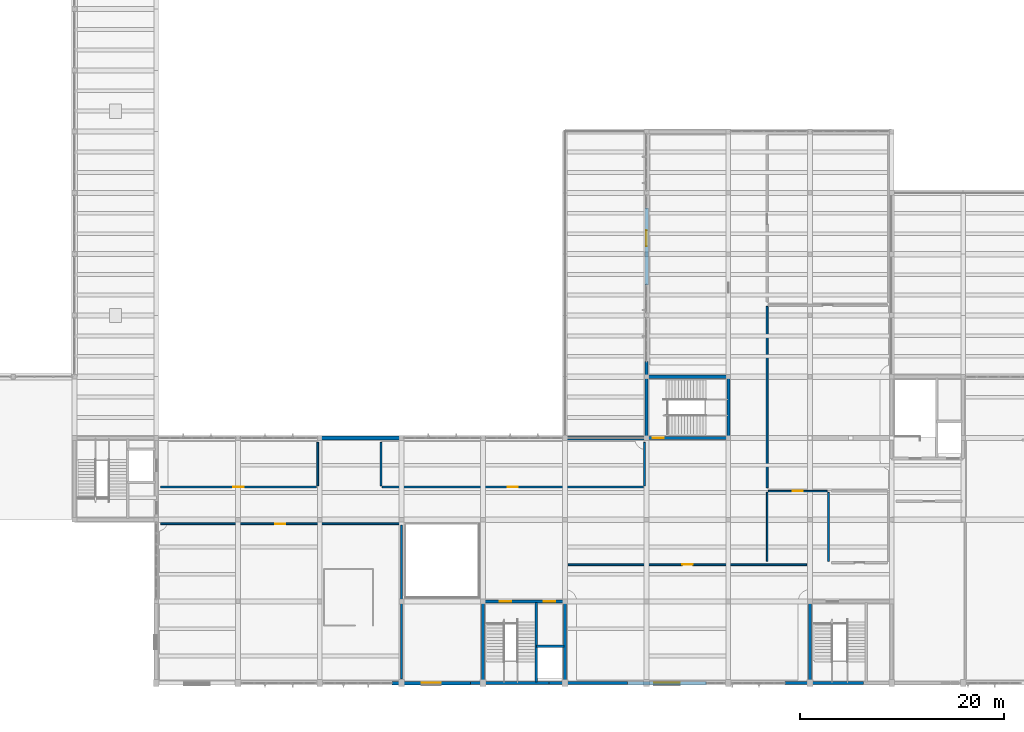
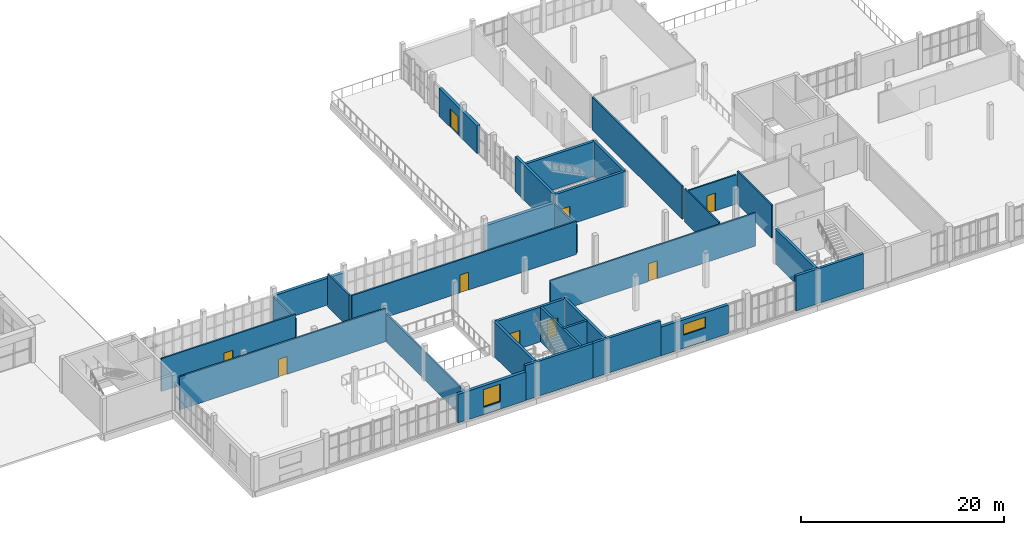
# One storey, part 53 of 70: 30 walls, 9 doors, 2 windows, 11 openings.
"""IFC4 building model written with IfcOpenShell, lengths in metres."""

from ifc_helpers import new_model, si_unit, direction, frame, frame_2d, origin, place, context, subcontext, project, spatial, rectangle, extrude, material, layer, layer_set, type_object, element, fill, save


model = new_model("IFC4")

# Units and contexts
model_context = context("Model", 3, precision=1e-05, world=origin(), true_north=direction((0.0, 1.0)))
body_context = subcontext(model_context, "Body", "Model", "MODEL_VIEW")
ifc_project = project(units=[si_unit("LENGTHUNIT", "METRE"), si_unit("AREAUNIT", "SQUARE_METRE"), si_unit("VOLUMEUNIT", "CUBIC_METRE"), si_unit("PLANEANGLEUNIT", "RADIAN"), si_unit("MASSUNIT", "GRAM", prefix="KILO")], contexts=[model_context])

# Site, building, storey
site_placement = place(None, origin())
site = spatial("IfcSite", under=ifc_project, at=site_placement, CompositionType="ELEMENT")
building_placement = place(site_placement, origin())
building = spatial("IfcBuilding", under=site, at=building_placement, Name="Solvane Community Centre", CompositionType="ELEMENT")
storey_placement = place(building_placement, frame((0.0, 0.0, 9.60009765625)))
storey = spatial("IfcBuildingStorey", under=building, at=storey_placement, Name="L02", CompositionType="ELEMENT", Elevation=9.60009765625)

# Wall
ifc_material_1 = material(Name="Gypsum board partition")
ifc_layer_1 = layer(ifc_material_1, 0.169921875)
ifc_layer_set_1 = layer_set([ifc_layer_1], Name="Gypsum board partition")
wall_type_1 = type_object("IfcWallType", Name="Acoustic Partition 170mm [68x40dm]", PredefinedType="PARTITIONING", material=ifc_layer_set_1)
wall_1_placement = place(storey_placement, frame((133.800048828125, 17.919921875, 0.0), z_axis=(0.0, 0.0, 1.0), x_axis=(0.0, 1.0, 0.0)))
element("IfcWall", 1, at=wall_1_placement, inside=storey, type_object=wall_type_1, Name="Interior Wall WL-INT-L02-0318", PredefinedType="PARTITIONING", context=body_context, shape_type="SweptSolid", body=[
    extrude(rectangle(XDim=6.760009765625, YDim=0.169921875, at=frame_2d((3.3798828125, 0.0))), origin(), (0.0, 0.0, 1.0), 3.97998046875),
])

# Wall, opening, door
ifc_material_2 = material(Name="Precast concrete C35/45", Category="concrete")
ifc_layer_2 = layer(ifc_material_2, 0.35009765625)
ifc_layer_set_2 = layer_set([ifc_layer_2], Name="Precast concrete C35/45")
wall_type_2 = type_object("IfcWallType", Name="Art Deco Limestone Cavity Wall 350mm [75x33dm]", PredefinedType="SOLIDWALL", material=ifc_layer_set_2)
wall_2_placement = place(storey_placement, frame((116.0, 45.0, 0.0), z_axis=(0.0, 0.0, 1.0), x_axis=(0.0, 1.0, 0.0)))
wall_2 = element("IfcWall", 2, at=wall_2_placement, inside=storey, type_object=wall_type_2, Name="Exterior Wall WL-EXT-L02-0121", PredefinedType="SOLIDWALL", context=body_context, shape_type="SweptSolid", body=[
    extrude(rectangle(XDim=7.5, YDim=0.35009765625, at=frame_2d((3.75, 0.0))), origin(), (0.0, 0.0, 1.0), 3.344970703125),
])
opening_1_placement = place(wall_2_placement, frame((3.778076171875, 0.0, 0.0)))
opening_1 = element("IfcOpeningElement", 3, at=opening_1_placement, cuts=wall_2, Name="Opening D08", PredefinedType="OPENING", context=body_context, shape_type="SweptSolid", body=[
    extrude(rectangle(XDim=1.550048828125, YDim=2.199951171875, at=frame_2d((0.77490234375, 1.10009765625))), frame((0.0, 0.18505859375, 0.0), z_axis=(0.0, -1.0, 0.0), x_axis=(1.0, 0.0, 0.0)), (0.0, 0.0, 1.0), 0.3701171875),
])
ifc_material_3 = material(Name="Anodised bronze aluminium AW-6063 T6", Category="aluminium")
door_type_1 = type_object("IfcDoorType", Name="Upper Terrace Glazed Pair 1550x2200", OperationType="NOTDEFINED", PredefinedType="DOOR", material=ifc_material_3)
door_1_placement = place(opening_1_placement, origin())
door_1 = element("IfcDoor", 4, at=door_1_placement, inside=storey, type_object=door_type_1, Name="L02-ED29", OperationType="SINGLE_SWING_LEFT", OverallHeight=2.199951171875, OverallWidth=1.550048828125, PredefinedType="DOOR", context=body_context, shape_type="SweptSolid", body=[
    extrude(rectangle(XDim=1.550048828125, YDim=2.199951171875, at=frame_2d((0.77490234375, 1.10009765625))), frame((0.0, 0.02490234375, 0.0), z_axis=(0.0, -1.0, 0.0), x_axis=(1.0, 0.0, 0.0)), (0.0, 0.0, 1.0), 0.050048828125),
])
fill(opening_1, door_1)

# Wall, opening, window
ifc_layer_3 = layer(ifc_material_2, 0.35009765625)
ifc_layer_set_3 = layer_set([ifc_layer_3], Name="Precast concrete C35/45")
wall_type_3 = type_object("IfcWallType", Name="Art Deco Limestone Cavity Wall 350mm [77x34dm]", PredefinedType="SOLIDWALL", material=ifc_layer_set_3)
wall_3_placement = place(storey_placement, frame((121.84619140625, 6.0, 0.0), z_axis=(0.0, 0.0, 1.0), x_axis=(-1.0, 0.0, 0.0)))
wall_3 = element("IfcWall", 5, at=wall_3_placement, inside=storey, type_object=wall_type_3, Name="Exterior Wall WL-EXT-L02-0109", PredefinedType="SOLIDWALL", context=body_context, shape_type="SweptSolid", body=[
    extrude(rectangle(XDim=7.6923828125, YDim=0.35009765625, at=frame_2d((3.84619140625, 0.0))), origin(), (0.0, 0.0, 1.0), 3.44482421875),
])
opening_2_placement = place(wall_3_placement, frame((2.595947265625, 0.0, 1.60009765625)))
opening_2 = element("IfcOpeningElement", 6, at=opening_2_placement, cuts=wall_3, Name="Opening WN16", PredefinedType="OPENING", context=body_context, shape_type="SweptSolid", body=[
    extrude(rectangle(XDim=2.5, YDim=1.300048828125, at=frame_2d((1.25, 0.64990234375))), frame((0.0, 0.18505859375, 0.0), z_axis=(0.0, -1.0, 0.0), x_axis=(1.0, 0.0, 0.0)), (0.0, 0.0, 1.0), 0.3701171875),
])
ifc_material_4 = material(Name="Tempered low-E double glazing", Category="glass")
window_type_1 = type_object("IfcWindowType", Name="Cloister Clerestory Window 2500x1300", PartitioningType="DOUBLE_PANEL_VERTICAL", PredefinedType="WINDOW", material=ifc_material_4)
window_1_placement = place(opening_2_placement, origin())
window_1 = element("IfcWindow", 7, at=window_1_placement, inside=storey, type_object=window_type_1, Name="L02-W050", OverallHeight=1.300048828125, OverallWidth=2.5, PartitioningType="DOUBLE_PANEL_VERTICAL", PredefinedType="WINDOW", context=body_context, shape_type="SweptSolid", body=[
    extrude(rectangle(XDim=2.5, YDim=1.300048828125, at=frame_2d((1.25, 0.64990234375))), frame((0.0, 0.030029296875, 0.0), z_axis=(0.0, -1.0, 0.0), x_axis=(1.0, 0.0, 0.0)), (0.0, 0.0, 1.0), 0.06005859375),
])
fill(opening_2, window_1)

wall_4_placement = place(storey_placement, frame((98.769287109375, 6.0, 0.0), z_axis=(0.0, 0.0, 1.0), x_axis=(-1.0, 0.0, 0.0)))
wall_4 = element("IfcWall", 8, at=wall_4_placement, inside=storey, type_object=wall_type_3, Name="Exterior Wall WL-EXT-L02-0112", PredefinedType="SOLIDWALL", context=body_context, shape_type="SweptSolid", body=[
    extrude(rectangle(XDim=7.6923828125, YDim=0.35009765625, at=frame_2d((3.84619140625, 0.0))), origin(), (0.0, 0.0, 1.0), 3.44482421875),
])
opening_3_placement = place(wall_4_placement, frame((2.89599609375, 0.0, 0.89990234375)))
opening_3 = element("IfcOpeningElement", 9, at=opening_3_placement, cuts=wall_4, Name="Opening WN15", PredefinedType="OPENING", context=body_context, shape_type="SweptSolid", body=[
    extrude(rectangle(XDim=1.89990234375, YDim=2.10009765625, at=frame_2d((0.949951171875, 1.050048828125))), frame((0.0, 0.18505859375, 0.0), z_axis=(0.0, -1.0, 0.0), x_axis=(1.0, 0.0, 0.0)), (0.0, 0.0, 1.0), 0.3701171875),
])
window_type_2 = type_object("IfcWindowType", Name="Belvedere Seminar Window 1900x2100", PartitioningType="DOUBLE_PANEL_VERTICAL", PredefinedType="WINDOW", material=ifc_material_4)
window_2_placement = place(opening_3_placement, origin())
window_2 = element("IfcWindow", 10, at=window_2_placement, inside=storey, type_object=window_type_2, Name="L02-W051", OverallHeight=2.10009765625, OverallWidth=1.89990234375, PartitioningType="DOUBLE_PANEL_VERTICAL", PredefinedType="WINDOW", context=body_context, shape_type="SweptSolid", body=[
    extrude(rectangle(XDim=1.89990234375, YDim=2.10009765625, at=frame_2d((0.949951171875, 1.050048828125))), frame((0.0, 0.030029296875, 0.0), z_axis=(0.0, -1.0, 0.0), x_axis=(1.0, 0.0, 0.0)), (0.0, 0.0, 1.0), 0.06005859375),
])
fill(opening_3, window_2)

# Walls
ifc_layer_4 = layer(ifc_material_2, 0.35009765625)
ifc_layer_set_4 = layer_set([ifc_layer_4], Name="Precast concrete C35/45")
wall_type_4 = type_object("IfcWallType", Name="Art Deco Limestone Cavity Wall 350mm [80x32dm]", PredefinedType="SOLIDWALL", material=ifc_layer_set_4)
for number, where, z_axis, x_axis, name in (
    (11, (84.0, 30.0, 0.0), (0.0, 0.0, 1.0), (1.0, 0.0, 0.0), "Exterior Wall WL-EXT-L02-0118"),
    (12, (108.0, 30.0, 0.0), (0.0, 0.0, 1.0), (1.0, 0.0, 0.0), "Exterior Wall WL-EXT-L02-0119"),
):
    element("IfcWall", number, at=place(storey_placement, frame(where, z_axis=z_axis, x_axis=x_axis)), inside=storey, type_object=wall_type_4, Name=name, PredefinedType="SOLIDWALL", context=body_context, shape_type="SweptSolid", body=[
        extrude(rectangle(XDim=8.0, YDim=0.35009765625, at=frame_2d((4.0, 0.0))), origin(), (0.0, 0.0, 1.0), 3.244873046875),
    ])
ifc_layer_5 = layer(ifc_material_1, 0.179931640625)
ifc_layer_set_5 = layer_set([ifc_layer_5], Name="Gypsum board partition")
wall_type_5 = type_object("IfcWallType", Name="Protected Corridor Wall 180mm [151x34dm]", PredefinedType="PARTITIONING", material=ifc_layer_set_5)
wall_5_placement = place(storey_placement, frame((92.0, 6.419921875, 0.0), z_axis=(0.0, 0.0, 1.0), x_axis=(0.0, 1.0, 0.0)))
element("IfcWall", 13, at=wall_5_placement, inside=storey, type_object=wall_type_5, Name="Interior Wall WL-INT-L02-0309", PredefinedType="PARTITIONING", context=body_context, shape_type="SweptSolid", body=[
    extrude(rectangle(XDim=15.06005859375, YDim=0.179931640625, at=frame_2d((7.530029296875, 0.0))), origin(), (0.0, 0.0, 1.0), 3.364990234375),
])

# Wall, opening, door
ifc_layer_6 = layer(ifc_material_1, 0.179931640625)
ifc_layer_set_6 = layer_set([ifc_layer_6], Name="Gypsum board partition")
wall_type_6 = type_object("IfcWallType", Name="Protected Corridor Wall 180mm [153x40dm]", PredefinedType="PARTITIONING", material=ifc_layer_set_6)
wall_6_placement = place(storey_placement, frame((68.419921875, 25.199951171875, 0.0), z_axis=(0.0, 0.0, 1.0), x_axis=(1.0, 0.0, 0.0)))
wall_6 = element("IfcWall", 14, at=wall_6_placement, inside=storey, type_object=wall_type_6, Name="Interior Wall WL-INT-L02-0311", PredefinedType="PARTITIONING", context=body_context, shape_type="SweptSolid", body=[
    extrude(rectangle(XDim=15.260009765625, YDim=0.179931640625, at=frame_2d((7.6298828125, 0.0))), origin(), (0.0, 0.0, 1.0), 3.97998046875),
])
opening_4_placement = place(wall_6_placement, frame((7.1298828125, 0.0, 0.0)))
opening_4 = element("IfcOpeningElement", 15, at=opening_4_placement, cuts=wall_6, Name="Opening ID01", PredefinedType="OPENING", context=body_context, shape_type="SweptSolid", body=[
    extrude(rectangle(XDim=1.0, YDim=2.14990234375, at=frame_2d((0.5, 1.074951171875))), frame((0.0, 0.099853515625, 0.0), z_axis=(0.0, -1.0, 0.0), x_axis=(1.0, 0.0, 0.0)), (0.0, 0.0, 1.0), 0.199951171875),
])
door_type_2 = type_object("IfcDoorType", Name="Corridor Rated Classroom Door 1000x2150", OperationType="NOTDEFINED", PredefinedType="DOOR", material=ifc_material_3)
door_2_placement = place(opening_4_placement, origin())
door_2 = element("IfcDoor", 16, at=door_2_placement, inside=storey, type_object=door_type_2, Name="L02-D120", OperationType="SINGLE_SWING_RIGHT", OverallHeight=2.14990234375, OverallWidth=1.0, PredefinedType="DOOR", context=body_context, shape_type="SweptSolid", body=[
    extrude(rectangle(XDim=1.0, YDim=2.14990234375, at=frame_2d((0.5, 1.074951171875))), frame((0.0, 0.02490234375, 0.0), z_axis=(0.0, -1.0, 0.0), x_axis=(1.0, 0.0, 0.0)), (0.0, 0.0, 1.0), 0.050048828125),
])
fill(opening_4, door_2)

# Wall
ifc_layer_7 = layer(ifc_material_1, 0.179931640625)
ifc_layer_set_7 = layer_set([ifc_layer_7], Name="Gypsum board partition")
wall_type_7 = type_object("IfcWallType", Name="Protected Corridor Wall 180mm [178x40dm]", PredefinedType="PARTITIONING", material=ifc_layer_set_7)
wall_7_placement = place(storey_placement, frame((127.800048828125, 42.8798828125, 0.0), z_axis=(0.0, 0.0, 1.0), x_axis=(0.0, -1.0, 0.0)))
element("IfcWall", 17, at=wall_7_placement, inside=storey, type_object=wall_type_7, Name="Interior Wall WL-INT-L02-0324", PredefinedType="PARTITIONING", context=body_context, shape_type="SweptSolid", body=[
    extrude(rectangle(XDim=17.759765625, YDim=0.179931640625, at=frame_2d((8.8798828125, 0.0))), origin(), (0.0, 0.0, 1.0), 3.97998046875),
])

# Wall, opening, door
ifc_layer_8 = layer(ifc_material_1, 0.179931640625)
ifc_layer_set_8 = layer_set([ifc_layer_8], Name="Gypsum board partition")
wall_type_8 = type_object("IfcWallType", Name="Protected Corridor Wall 180mm [234x40dm]", PredefinedType="PARTITIONING", material=ifc_layer_set_8)
wall_8_placement = place(storey_placement, frame((131.679931640625, 17.60009765625, 0.0), z_axis=(0.0, 0.0, 1.0), x_axis=(-1.0, 0.0, 0.0)))
wall_8 = element("IfcWall", 18, at=wall_8_placement, inside=storey, type_object=wall_type_8, Name="Interior Wall WL-INT-L02-0310", PredefinedType="PARTITIONING", context=body_context, shape_type="SweptSolid", body=[
    extrude(rectangle(XDim=23.35986328125, YDim=0.179931640625, at=frame_2d((11.679931640625, 0.0))), origin(), (0.0, 0.0, 1.0), 3.97998046875),
])
opening_5_placement = place(wall_8_placement, frame((11.179931640625, 0.0, 0.0)))
opening_5 = element("IfcOpeningElement", 19, at=opening_5_placement, cuts=wall_8, Name="Opening ID01", PredefinedType="OPENING", context=body_context, shape_type="SweptSolid", body=[
    extrude(rectangle(XDim=1.0, YDim=2.14990234375, at=frame_2d((0.5, 1.074951171875))), frame((0.0, 0.099853515625, 0.0), z_axis=(0.0, -1.0, 0.0), x_axis=(1.0, 0.0, 0.0)), (0.0, 0.0, 1.0), 0.199951171875),
])
door_3_placement = place(opening_5_placement, origin())
door_3 = element("IfcDoor", 20, at=door_3_placement, inside=storey, type_object=door_type_2, Name="L02-D119", OperationType="SINGLE_SWING_LEFT", OverallHeight=2.14990234375, OverallWidth=1.0, PredefinedType="DOOR", context=body_context, shape_type="SweptSolid", body=[
    extrude(rectangle(XDim=1.0, YDim=2.14990234375, at=frame_2d((0.5, 1.074951171875))), frame((0.0, 0.02490234375, 0.0), z_axis=(0.0, -1.0, 0.0), x_axis=(1.0, 0.0, 0.0)), (0.0, 0.0, 1.0), 0.050048828125),
])
fill(opening_5, door_3)

ifc_layer_9 = layer(ifc_material_1, 0.179931640625)
ifc_layer_set_9 = layer_set([ifc_layer_9], Name="Gypsum board partition")
wall_type_9 = type_object("IfcWallType", Name="Protected Corridor Wall 180mm [235x40dm]", PredefinedType="PARTITIONING", material=ifc_layer_set_9)
wall_9_placement = place(storey_placement, frame((91.8798828125, 21.60009765625, 0.0), z_axis=(0.0, 0.0, 1.0), x_axis=(-1.0, 0.0, 0.0)))
wall_9 = element("IfcWall", 21, at=wall_9_placement, inside=storey, type_object=wall_type_9, Name="Interior Wall WL-INT-L02-0308", PredefinedType="PARTITIONING", context=body_context, shape_type="SweptSolid", body=[
    extrude(rectangle(XDim=23.4599609375, YDim=0.179931640625, at=frame_2d((11.72998046875, 0.0))), origin(), (0.0, 0.0, 1.0), 3.97998046875),
])
opening_6_placement = place(wall_9_placement, frame((11.22998046875, 0.0, 0.0)))
opening_6 = element("IfcOpeningElement", 22, at=opening_6_placement, cuts=wall_9, Name="Opening ID01", PredefinedType="OPENING", context=body_context, shape_type="SweptSolid", body=[
    extrude(rectangle(XDim=1.0, YDim=2.14990234375, at=frame_2d((0.5, 1.074951171875))), frame((0.0, 0.099853515625, 0.0), z_axis=(0.0, -1.0, 0.0), x_axis=(1.0, 0.0, 0.0)), (0.0, 0.0, 1.0), 0.199951171875),
])
door_4_placement = place(opening_6_placement, origin())
door_4 = element("IfcDoor", 23, at=door_4_placement, inside=storey, type_object=door_type_2, Name="L02-D118", OperationType="SINGLE_SWING_RIGHT", OverallHeight=2.14990234375, OverallWidth=1.0, PredefinedType="DOOR", context=body_context, shape_type="SweptSolid", body=[
    extrude(rectangle(XDim=1.0, YDim=2.14990234375, at=frame_2d((0.5, 1.074951171875))), frame((0.0, 0.02490234375, 0.0), z_axis=(0.0, -1.0, 0.0), x_axis=(1.0, 0.0, 0.0)), (0.0, 0.0, 1.0), 0.050048828125),
])
fill(opening_6, door_4)

ifc_layer_10 = layer(ifc_material_1, 0.179931640625)
ifc_layer_set_10 = layer_set([ifc_layer_10], Name="Gypsum board partition")
wall_type_10 = type_object("IfcWallType", Name="Protected Corridor Wall 180mm [256x40dm]", PredefinedType="PARTITIONING", material=ifc_layer_set_10)
wall_10_placement = place(storey_placement, frame((90.1201171875, 25.199951171875, 0.0), z_axis=(0.0, 0.0, 1.0), x_axis=(1.0, 0.0, 0.0)))
wall_10 = element("IfcWall", 24, at=wall_10_placement, inside=storey, type_object=wall_type_10, Name="Interior Wall WL-INT-L02-0313", PredefinedType="PARTITIONING", context=body_context, shape_type="SweptSolid", body=[
    extrude(rectangle(XDim=25.559814453125, YDim=0.179931640625, at=frame_2d((12.77978515625, 0.0))), origin(), (0.0, 0.0, 1.0), 3.97998046875),
])
opening_7_placement = place(wall_10_placement, frame((12.280029296875, 0.0, 0.0)))
opening_7 = element("IfcOpeningElement", 25, at=opening_7_placement, cuts=wall_10, Name="Opening ID01", PredefinedType="OPENING", context=body_context, shape_type="SweptSolid", body=[
    extrude(rectangle(XDim=1.0, YDim=2.14990234375, at=frame_2d((0.5, 1.074951171875))), frame((0.0, 0.099853515625, 0.0), z_axis=(0.0, -1.0, 0.0), x_axis=(1.0, 0.0, 0.0)), (0.0, 0.0, 1.0), 0.199951171875),
])
door_5_placement = place(opening_7_placement, origin())
door_5 = element("IfcDoor", 26, at=door_5_placement, inside=storey, type_object=door_type_2, Name="L02-D121", OperationType="SINGLE_SWING_LEFT", OverallHeight=2.14990234375, OverallWidth=1.0, PredefinedType="DOOR", context=body_context, shape_type="SweptSolid", body=[
    extrude(rectangle(XDim=1.0, YDim=2.14990234375, at=frame_2d((0.5, 1.074951171875))), frame((0.0, 0.02490234375, 0.0), z_axis=(0.0, -1.0, 0.0), x_axis=(1.0, 0.0, 0.0)), (0.0, 0.0, 1.0), 0.050048828125),
])
fill(opening_7, door_5)

# Walls
ifc_layer_11 = layer(ifc_material_1, 0.179931640625)
ifc_layer_set_11 = layer_set([ifc_layer_11], Name="Gypsum board partition")
wall_type_11 = type_object("IfcWallType", Name="Protected Corridor Wall 180mm [43x34dm]", PredefinedType="PARTITIONING", material=ifc_layer_set_11)
for number, where, z_axis, x_axis, name in (
    (27, (83.800048828125, 25.320068359375, 0.0), (0.0, 0.0, 1.0), (0.0, 1.0, 0.0), "Interior Wall WL-INT-L02-0312"),
    (28, (115.800048828125, 25.320068359375, 0.0), (0.0, 0.0, 1.0), (0.0, 1.0, 0.0), "Interior Wall WL-INT-L02-0315"),
):
    element("IfcWall", number, at=place(storey_placement, frame(where, z_axis=z_axis, x_axis=x_axis)), inside=storey, type_object=wall_type_11, Name=name, PredefinedType="PARTITIONING", context=body_context, shape_type="SweptSolid", body=[
        extrude(rectangle(XDim=4.260009765625, YDim=0.179931640625, at=frame_2d((2.1298828125, 0.0))), origin(), (0.0, 0.0, 1.0), 3.364990234375),
    ])
ifc_layer_12 = layer(ifc_material_1, 0.179931640625)
ifc_layer_set_12 = layer_set([ifc_layer_12], Name="Gypsum board partition")
wall_type_12 = type_object("IfcWallType", Name="Protected Corridor Wall 180mm [43x40dm]", PredefinedType="PARTITIONING", material=ifc_layer_set_12)
wall_11_placement = place(storey_placement, frame((90.0, 29.580078125, 0.0), z_axis=(0.0, 0.0, 1.0), x_axis=(0.0, -1.0, 0.0)))
element("IfcWall", 29, at=wall_11_placement, inside=storey, type_object=wall_type_12, Name="Interior Wall WL-INT-L02-0314", PredefinedType="PARTITIONING", context=body_context, shape_type="SweptSolid", body=[
    extrude(rectangle(XDim=4.260009765625, YDim=0.179931640625, at=frame_2d((2.1298828125, 0.0))), origin(), (0.0, 0.0, 1.0), 3.97998046875),
])
ifc_material_5 = material(Name="Concrete C35/45", Category="concrete")
ifc_layer_13 = layer(ifc_material_5, 0.300048828125)
ifc_layer_set_13 = layer_set([ifc_layer_13], Name="Concrete C35/45")
wall_type_13 = type_object("IfcWallType", Name="RC Core Shear Wall 300mm [60x42dm]", PredefinedType="SHEAR", material=ifc_layer_set_13)
wall_12_placement = place(storey_placement, frame((124.0, 36.0, 0.0), z_axis=(0.0, 0.0, 1.0), x_axis=(0.0, -1.0, 0.0)))
element("IfcWall", 30, at=wall_12_placement, inside=storey, type_object=wall_type_13, Name="Interior Wall WL-INT-L02-0082", PredefinedType="SHEAR", context=body_context, shape_type="SweptSolid", body=[
    extrude(rectangle(XDim=6.0, YDim=0.300048828125, at=frame_2d((3.0, 0.0))), origin(), (0.0, 0.0, 1.0), 4.199951171875),
])
ifc_layer_14 = layer(ifc_material_5, 0.300048828125)
ifc_layer_set_14 = layer_set([ifc_layer_14], Name="Concrete C35/45")
wall_type_14 = type_object("IfcWallType", Name="RC Core Shear Wall 300mm [80x42dm]", PredefinedType="SHEAR", material=ifc_layer_set_14)
wall_13_placement = place(storey_placement, frame((100.0, 6.0, 0.0), z_axis=(0.0, 0.0, 1.0), x_axis=(0.0, 1.0, 0.0)))
element("IfcWall", 31, at=wall_13_placement, inside=storey, type_object=wall_type_14, Name="Interior Wall WL-INT-L02-0039", PredefinedType="SHEAR", context=body_context, shape_type="SweptSolid", body=[
    extrude(rectangle(XDim=8.0, YDim=0.300048828125, at=frame_2d((4.0, 0.0))), origin(), (0.0, 0.0, 1.0), 4.199951171875),
])

# Wall, openings, doors
wall_14_placement = place(storey_placement, frame((100.0, 14.0, 0.0), z_axis=(0.0, 0.0, 1.0), x_axis=(1.0, 0.0, 0.0)))
wall_14 = element("IfcWall", 32, at=wall_14_placement, inside=storey, type_object=wall_type_14, Name="Interior Wall WL-INT-L02-0040", PredefinedType="SHEAR", context=body_context, shape_type="SweptSolid", body=[
    extrude(rectangle(XDim=8.0, YDim=0.300048828125, at=frame_2d((4.0, 0.0))), origin(), (0.0, 0.0, 1.0), 4.199951171875),
])
opening_8_placement = place(wall_14_placement, frame((1.64990234375, 0.0, 0.0)))
opening_8 = element("IfcOpeningElement", 33, at=opening_8_placement, cuts=wall_14, Name="Opening SD02", PredefinedType="OPENING", context=body_context, shape_type="SweptSolid", body=[
    extrude(rectangle(XDim=1.10009765625, YDim=2.199951171875, at=frame_2d((0.550048828125, 1.10009765625))), frame((0.0, 0.159912109375, 0.0), z_axis=(0.0, -1.0, 0.0), x_axis=(1.0, 0.0, 0.0)), (0.0, 0.0, 1.0), 0.320068359375),
])
opening_9_placement = place(wall_14_placement, frame((5.949951171875, 0.0, 0.0)))
opening_9 = element("IfcOpeningElement", 34, at=opening_9_placement, cuts=wall_14, Name="Opening LD01", PredefinedType="OPENING", context=body_context, shape_type="SweptSolid", body=[
    extrude(rectangle(XDim=1.10009765625, YDim=2.199951171875, at=frame_2d((0.550048828125, 1.10009765625))), frame((0.0, 0.159912109375, 0.0), z_axis=(0.0, -1.0, 0.0), x_axis=(1.0, 0.0, 0.0)), (0.0, 0.0, 1.0), 0.320068359375),
])
door_type_3 = type_object("IfcDoorType", Name="Core Stair Fire Door 1100x2200", OperationType="NOTDEFINED", PredefinedType="DOOR", material=ifc_material_3)
door_6_placement = place(opening_8_placement, origin())
door_6 = element("IfcDoor", 35, at=door_6_placement, inside=storey, type_object=door_type_3, Name="L02-D016", OperationType="SINGLE_SWING_LEFT", OverallHeight=2.199951171875, OverallWidth=1.10009765625, PredefinedType="DOOR", context=body_context, shape_type="SweptSolid", body=[
    extrude(rectangle(XDim=1.10009765625, YDim=2.199951171875, at=frame_2d((0.550048828125, 1.10009765625))), frame((0.0, 0.02490234375, 0.0), z_axis=(0.0, -1.0, 0.0), x_axis=(1.0, 0.0, 0.0)), (0.0, 0.0, 1.0), 0.050048828125),
])
fill(opening_8, door_6)
door_type_4 = type_object("IfcDoorType", Name="Lift Sliding Landing Door 1100x2200", OperationType="NOTDEFINED", PredefinedType="DOOR", material=ifc_material_3)
door_7_placement = place(opening_9_placement, origin())
door_7 = element("IfcDoor", 36, at=door_7_placement, inside=storey, type_object=door_type_4, Name="L02-D017", OperationType="SLIDING_TO_LEFT", OverallHeight=2.199951171875, OverallWidth=1.10009765625, PredefinedType="DOOR", context=body_context, shape_type="SweptSolid", body=[
    extrude(rectangle(XDim=1.10009765625, YDim=2.199951171875, at=frame_2d((0.550048828125, 1.10009765625))), frame((0.0, 0.02490234375, 0.0), z_axis=(0.0, -1.0, 0.0), x_axis=(1.0, 0.0, 0.0)), (0.0, 0.0, 1.0), 0.050048828125),
])
fill(opening_9, door_7)

# Walls
for number, where, z_axis, x_axis, name in (
    (37, (108.0, 14.0, 0.0), (0.0, 0.0, 1.0), (0.0, -1.0, 0.0), "Interior Wall WL-INT-L02-0041"),
    (38, (132.0, 6.0, 0.0), (0.0, 0.0, 1.0), (0.0, 1.0, 0.0), "Interior Wall WL-INT-L02-0062"),
):
    element("IfcWall", number, at=place(storey_placement, frame(where, z_axis=z_axis, x_axis=x_axis)), inside=storey, type_object=wall_type_14, Name=name, PredefinedType="SHEAR", context=body_context, shape_type="SweptSolid", body=[
        extrude(rectangle(XDim=8.0, YDim=0.300048828125, at=frame_2d((4.0, 0.0))), origin(), (0.0, 0.0, 1.0), 4.199951171875),
    ])

# Wall, opening, door
wall_15_placement = place(storey_placement, frame((124.0, 30.0, 0.0), z_axis=(0.0, 0.0, 1.0), x_axis=(-1.0, 0.0, 0.0)))
wall_15 = element("IfcWall", 39, at=wall_15_placement, inside=storey, type_object=wall_type_14, Name="Interior Wall WL-INT-L02-0080", PredefinedType="SHEAR", context=body_context, shape_type="SweptSolid", body=[
    extrude(rectangle(XDim=8.0, YDim=0.300048828125, at=frame_2d((4.0, 0.0))), origin(), (0.0, 0.0, 1.0), 4.199951171875),
])
opening_10_placement = place(wall_15_placement, frame((6.300048828125, 0.0, 0.0)))
opening_10 = element("IfcOpeningElement", 40, at=opening_10_placement, cuts=wall_15, Name="Opening SD02", PredefinedType="OPENING", context=body_context, shape_type="SweptSolid", body=[
    extrude(rectangle(XDim=1.10009765625, YDim=2.199951171875, at=frame_2d((0.550048828125, 1.10009765625))), frame((0.0, 0.159912109375, 0.0), z_axis=(0.0, -1.0, 0.0), x_axis=(1.0, 0.0, 0.0)), (0.0, 0.0, 1.0), 0.320068359375),
])
door_8_placement = place(opening_10_placement, origin())
door_8 = element("IfcDoor", 41, at=door_8_placement, inside=storey, type_object=door_type_3, Name="L02-D030", OperationType="SINGLE_SWING_LEFT", OverallHeight=2.199951171875, OverallWidth=1.10009765625, PredefinedType="DOOR", context=body_context, shape_type="SweptSolid", body=[
    extrude(rectangle(XDim=1.10009765625, YDim=2.199951171875, at=frame_2d((0.550048828125, 1.10009765625))), frame((0.0, 0.02490234375, 0.0), z_axis=(0.0, -1.0, 0.0), x_axis=(1.0, 0.0, 0.0)), (0.0, 0.0, 1.0), 0.050048828125),
])
fill(opening_10, door_8)

# Walls
wall_16_placement = place(storey_placement, frame((116.0, 36.0, 0.0), z_axis=(0.0, 0.0, 1.0), x_axis=(1.0, 0.0, 0.0)))
element("IfcWall", 42, at=wall_16_placement, inside=storey, type_object=wall_type_14, Name="Interior Wall WL-INT-L02-0081", PredefinedType="SHEAR", context=body_context, shape_type="SweptSolid", body=[
    extrude(rectangle(XDim=8.0, YDim=0.300048828125, at=frame_2d((4.0, 0.0))), origin(), (0.0, 0.0, 1.0), 4.199951171875),
])
ifc_layer_15 = layer(ifc_material_5, 0.300048828125)
ifc_layer_set_15 = layer_set([ifc_layer_15], Name="Concrete C35/45")
wall_type_15 = type_object("IfcWallType", Name="RC Exterior Core Strip Wall 300mm [75x33dm]", PredefinedType="SOLIDWALL", material=ifc_layer_set_15)
wall_17_placement = place(storey_placement, frame((116.0, 30.0, 0.0), z_axis=(0.0, 0.0, 1.0), x_axis=(0.0, 1.0, 0.0)))
element("IfcWall", 43, at=wall_17_placement, inside=storey, type_object=wall_type_15, Name="Exterior Wall WL-EXT-L02-0120", PredefinedType="SOLIDWALL", context=body_context, shape_type="SweptSolid", body=[
    extrude(rectangle(XDim=7.5, YDim=0.300048828125, at=frame_2d((3.75, 0.0))), origin(), (0.0, 0.0, 1.0), 4.199951171875),
])
ifc_layer_16 = layer(ifc_material_5, 0.300048828125)
ifc_layer_set_16 = layer_set([ifc_layer_16], Name="Concrete C35/45")
wall_type_16 = type_object("IfcWallType", Name="RC Exterior Core Strip Wall 300mm [77x34dm]", PredefinedType="SOLIDWALL", material=ifc_layer_set_16)
wall_18_placement = place(storey_placement, frame((137.230712890625, 6.0, 0.0), z_axis=(0.0, 0.0, 1.0), x_axis=(-1.0, 0.0, 0.0)))
element("IfcWall", 44, at=wall_18_placement, inside=storey, type_object=wall_type_16, Name="Exterior Wall WL-EXT-L02-0108", PredefinedType="SOLIDWALL", context=body_context, shape_type="SweptSolid", body=[
    extrude(rectangle(XDim=7.692138671875, YDim=0.300048828125, at=frame_2d((3.84619140625, 0.0))), origin(), (0.0, 0.0, 1.0), 4.199951171875),
])
wall_19_placement = place(storey_placement, frame((114.15380859375, 6.0, 0.0), z_axis=(0.0, 0.0, 1.0), x_axis=(-1.0, 0.0, 0.0)))
element("IfcWall", 45, at=wall_19_placement, inside=storey, type_object=wall_type_16, Name="Exterior Wall WL-EXT-L02-0110", PredefinedType="SOLIDWALL", context=body_context, shape_type="SweptSolid", body=[
    extrude(rectangle(XDim=7.6923828125, YDim=0.300048828125, at=frame_2d((3.84619140625, 0.0))), origin(), (0.0, 0.0, 1.0), 4.199951171875),
])
wall_20_placement = place(storey_placement, frame((106.46142578125, 6.0, 0.0), z_axis=(0.0, 0.0, 1.0), x_axis=(-1.0, 0.0, 0.0)))
element("IfcWall", 46, at=wall_20_placement, inside=storey, type_object=wall_type_16, Name="Exterior Wall WL-EXT-L02-0111", PredefinedType="SOLIDWALL", context=body_context, shape_type="SweptSolid", body=[
    extrude(rectangle(XDim=7.692138671875, YDim=0.300048828125, at=frame_2d((3.84619140625, 0.0))), origin(), (0.0, 0.0, 1.0), 4.199951171875),
])
ifc_layer_17 = layer(ifc_material_5, 0.25)
ifc_layer_set_17 = layer_set([ifc_layer_17], Name="Concrete C35/45")
wall_type_17 = type_object("IfcWallType", Name="RC Lift Shaft Wall 250mm [27x42dm]", PredefinedType="SHEAR", material=ifc_layer_set_17)
wall_21_placement = place(storey_placement, frame((105.199951171875, 9.6201171875, 0.0), z_axis=(0.0, 0.0, 1.0), x_axis=(1.0, 0.0, 0.0)))
element("IfcWall", 47, at=wall_21_placement, inside=storey, type_object=wall_type_17, Name="Interior Wall WL-INT-L02-0043", PredefinedType="SHEAR", context=body_context, shape_type="SweptSolid", body=[
    extrude(rectangle(XDim=2.699951171875, YDim=0.25, at=frame_2d((1.35009765625, 0.0))), origin(), (0.0, 0.0, 1.0), 4.199951171875),
])
ifc_layer_18 = layer(ifc_material_5, 0.25)
ifc_layer_set_18 = layer_set([ifc_layer_18], Name="Concrete C35/45")
wall_type_18 = type_object("IfcWallType", Name="RC Lift Shaft Wall 250mm [78x42dm]", PredefinedType="SHEAR", material=ifc_layer_set_18)
wall_22_placement = place(storey_placement, frame((105.199951171875, 6.10009765625, 0.0), z_axis=(0.0, 0.0, 1.0), x_axis=(0.0, 1.0, 0.0)))
element("IfcWall", 48, at=wall_22_placement, inside=storey, type_object=wall_type_18, Name="Interior Wall WL-INT-L02-0042", PredefinedType="SHEAR", context=body_context, shape_type="SweptSolid", body=[
    extrude(rectangle(XDim=7.7998046875, YDim=0.25, at=frame_2d((3.89990234375, 0.0))), origin(), (0.0, 0.0, 1.0), 4.199951171875),
])

# Wall, opening, door
ifc_layer_19 = layer(ifc_material_1, 0.159912109375)
ifc_layer_set_19 = layer_set([ifc_layer_19], Name="Gypsum board partition")
wall_type_19 = type_object("IfcWallType", Name="Sanitary Plumbing Chase Wall 160mm [58x35dm]", PredefinedType="PLUMBINGWALL", material=ifc_layer_set_19)
wall_23_placement = place(storey_placement, frame((133.679931640625, 24.800048828125, 0.0), z_axis=(0.0, 0.0, 1.0), x_axis=(-1.0, 0.0, 0.0)))
wall_23 = element("IfcWall", 49, at=wall_23_placement, inside=storey, type_object=wall_type_19, Name="Interior Wall WL-INT-L02-0316", PredefinedType="PLUMBINGWALL", context=body_context, shape_type="SweptSolid", body=[
    extrude(rectangle(XDim=5.760009765625, YDim=0.159912109375, at=frame_2d((2.8798828125, 0.0))), origin(), (0.0, 0.0, 1.0), 3.52490234375),
])
opening_11_placement = place(wall_23_placement, frame((2.405029296875, 0.0, 0.0)))
opening_11 = element("IfcOpeningElement", 50, at=opening_11_placement, cuts=wall_23, Name="Opening ID03", PredefinedType="OPENING", context=body_context, shape_type="SweptSolid", body=[
    extrude(rectangle(XDim=0.949951171875, YDim=2.14990234375, at=frame_2d((0.47509765625, 1.074951171875))), frame((0.0, 0.08984375, 0.0), z_axis=(0.0, -1.0, 0.0), x_axis=(1.0, 0.0, 0.0)), (0.0, 0.0, 1.0), 0.179931640625),
])
door_type_5 = type_object("IfcDoorType", Name="Accessible Sanitary Door 950x2150", OperationType="NOTDEFINED", PredefinedType="DOOR", material=ifc_material_3)
door_9_placement = place(opening_11_placement, origin())
door_9 = element("IfcDoor", 51, at=door_9_placement, inside=storey, type_object=door_type_5, Name="L02-D122", OperationType="SINGLE_SWING_RIGHT", OverallHeight=2.14990234375, OverallWidth=0.949951171875, PredefinedType="DOOR", context=body_context, shape_type="SweptSolid", body=[
    extrude(rectangle(XDim=0.949951171875, YDim=2.14990234375, at=frame_2d((0.47509765625, 1.074951171875))), frame((0.0, 0.02490234375, 0.0), z_axis=(0.0, -1.0, 0.0), x_axis=(1.0, 0.0, 0.0)), (0.0, 0.0, 1.0), 0.050048828125),
])
fill(opening_11, door_9)

# Wall
ifc_layer_20 = layer(ifc_material_1, 0.159912109375)
ifc_layer_set_20 = layer_set([ifc_layer_20], Name="Gypsum board partition")
wall_type_20 = type_object("IfcWallType", Name="Sanitary Plumbing Chase Wall 160mm [68x40dm]", PredefinedType="PLUMBINGWALL", material=ifc_layer_set_20)
wall_24_placement = place(storey_placement, frame((127.800048828125, 24.679931640625, 0.0), z_axis=(0.0, 0.0, 1.0), x_axis=(0.0, -1.0, 0.0)))
element("IfcWall", 52, at=wall_24_placement, inside=storey, type_object=wall_type_20, Name="Interior Wall WL-INT-L02-0317", PredefinedType="PLUMBINGWALL", context=body_context, shape_type="SweptSolid", body=[
    extrude(rectangle(XDim=6.760009765625, YDim=0.159912109375, at=frame_2d((3.3798828125, 0.0))), origin(), (0.0, 0.0, 1.0), 3.97998046875),
])

save(model, "model.ifc")
